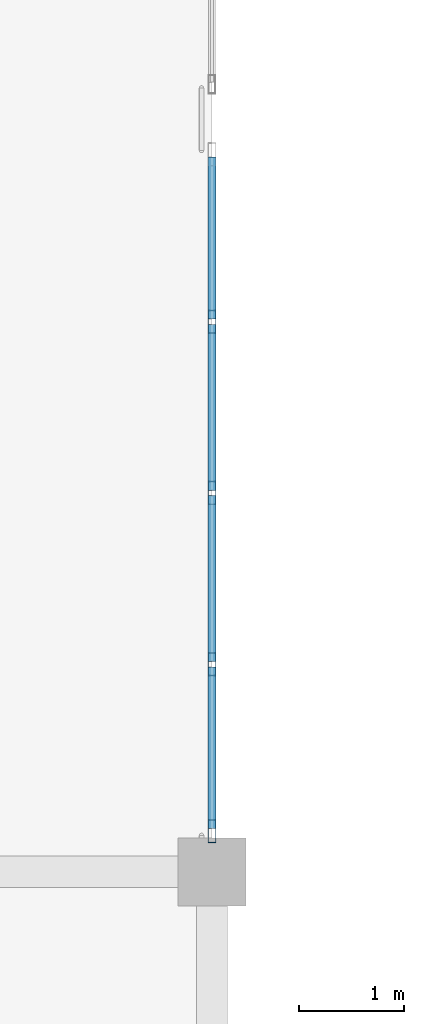
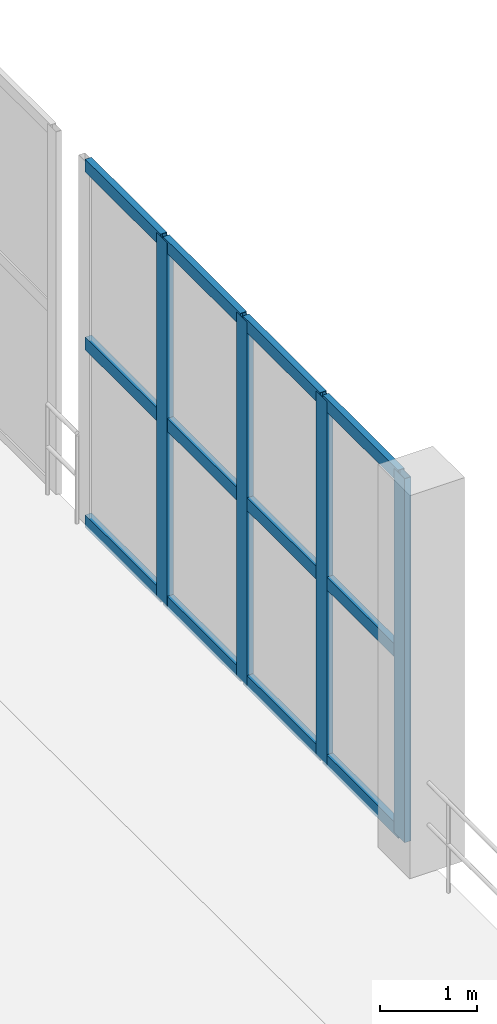
# One storey, part 34 of 105: 16 members, 1 element without a shape of its own.
"""IFC4 building model written with IfcOpenShell, lengths in metres."""

from ifc_helpers import new_model, si_unit, direction, frame, origin, origin_2d, place, context, subcontext, project, spatial, hollow_rectangle, extrude, material, material_profile, profile_set, type_object, element, aggregate, save


model = new_model("IFC4")

# Units and contexts
model_context = context("Model", 3, precision=1e-05, world=origin(), true_north=direction((0.0, 1.0)))
body_context = subcontext(model_context, "Body", "Model", "MODEL_VIEW")
ifc_project = project(units=[si_unit("LENGTHUNIT", "METRE"), si_unit("AREAUNIT", "SQUARE_METRE"), si_unit("VOLUMEUNIT", "CUBIC_METRE"), si_unit("PLANEANGLEUNIT", "RADIAN"), si_unit("MASSUNIT", "GRAM", prefix="KILO")], contexts=[model_context])

# Site, building, storey
site_placement = place(None, origin())
site = spatial("IfcSite", under=ifc_project, at=site_placement, CompositionType="ELEMENT")
building_placement = place(site_placement, origin())
building = spatial("IfcBuilding", under=site, at=building_placement, Name="Qandorah Velis Arena", CompositionType="ELEMENT")
storey_placement = place(building_placement, frame((0.0, 0.0, 13.800048828125)))
storey = spatial("IfcBuildingStorey", under=building, at=storey_placement, Name="L03", CompositionType="ELEMENT", Elevation=13.800048828125)

# Curtain wall, members
ifc_material_1 = material(Name="Solar-control low-E double glazing", Category="glass")
curtain_wall_type = type_object("IfcCurtainWallType", Name="ARC-CW-SYS17", PredefinedType="USERDEFINED", material=ifc_material_1)
curtain_wall_placement = place(storey_placement, origin())
curtain_wall = element("IfcCurtainWall", 1, at=curtain_wall_placement, inside=storey, type_object=curtain_wall_type, Name="Unitised curtain wall L03-113", ObjectType="UNITISED CURTAIN WALL", PredefinedType="USERDEFINED")
ifc_material_2 = material(Name="Champagne-bronze anodized aluminium 6063-T6", Category="aluminium")
ifc_material_profile_1 = material_profile(ifc_material_2, hollow_rectangle(XDim=0.074951171875, YDim=0.219970703125, WallThickness=0.00390625, at=origin_2d()), Name="ALU MULLION 75x220")
ifc_profile_set_1 = profile_set([ifc_material_profile_1], Name="Champagne-bronze anodized aluminium 6063-T6")
member_type_1 = type_object("IfcMemberType", Name="ARC-CWM-220", PredefinedType="MULLION", material=ifc_profile_set_1)
member_1_placement = place(storey_placement, frame((122.39990234375, 57.987548828125, -0.01513671875), z_axis=(0.0, 0.0, 1.0), x_axis=(-1.0, 0.0, 0.0)))
member_1 = element("IfcMember", 2, at=member_1_placement, type_object=member_type_1, Name="CW17 mullion 1", PredefinedType="MULLION", context=body_context, shape_type="SweptSolid", body=[
    extrude(hollow_rectangle(XDim=0.074951171875, YDim=0.219970703125, WallThickness=0.00390625, at=origin_2d()), origin(), (0.0, 0.0, 1.0), 4.56005859375),
])
member_2_placement = place(storey_placement, frame((122.39990234375, 59.58740234375, -0.01513671875), z_axis=(0.0, 0.0, 1.0), x_axis=(-1.0, 0.0, 0.0)))
member_2 = element("IfcMember", 3, at=member_2_placement, type_object=member_type_1, Name="CW17 mullion 2", PredefinedType="MULLION", context=body_context, shape_type="SweptSolid", body=[
    extrude(hollow_rectangle(XDim=0.074951171875, YDim=0.219970703125, WallThickness=0.00390625, at=origin_2d()), origin(), (0.0, 0.0, 1.0), 4.56005859375),
])
member_3_placement = place(storey_placement, frame((122.39990234375, 61.22509765625, -0.01513671875), z_axis=(0.0, 0.0, 1.0), x_axis=(-1.0, 0.0, 0.0)))
member_3 = element("IfcMember", 4, at=member_3_placement, type_object=member_type_1, Name="CW17 mullion 3", PredefinedType="MULLION", context=body_context, shape_type="SweptSolid", body=[
    extrude(hollow_rectangle(XDim=0.074951171875, YDim=0.219970703125, WallThickness=0.00390625, at=origin_2d()), origin(), (0.0, 0.0, 1.0), 4.56005859375),
])
member_4_placement = place(storey_placement, frame((122.39990234375, 62.862548828125, -0.01513671875), z_axis=(0.0, 0.0, 1.0), x_axis=(-1.0, 0.0, 0.0)))
member_4 = element("IfcMember", 5, at=member_4_placement, type_object=member_type_1, Name="CW17 mullion 4", PredefinedType="MULLION", context=body_context, shape_type="SweptSolid", body=[
    extrude(hollow_rectangle(XDim=0.074951171875, YDim=0.219970703125, WallThickness=0.00390625, at=origin_2d()), origin(), (0.0, 0.0, 1.0), 4.56005859375),
])
ifc_material_profile_2 = material_profile(ifc_material_2, hollow_rectangle(XDim=0.074951171875, YDim=0.159912109375, WallThickness=0.00341796875, at=origin_2d()), Name="ALU TRANSOM 75x160")
ifc_profile_set_2 = profile_set([ifc_material_profile_2], Name="Champagne-bronze anodized aluminium 6063-T6")
member_type_2 = type_object("IfcMemberType", Name="ARC-CWT-160", PredefinedType="USERDEFINED", material=ifc_profile_set_2)
member_5_placement = place(storey_placement, frame((122.39990234375, 58.012939453125, 0.037353515625), z_axis=(0.0, 1.0, 0.0), x_axis=(-1.0, 0.0, 0.0)))
member_5 = element("IfcMember", 6, at=member_5_placement, type_object=member_type_2, Name="CW17 transom 1.1", ObjectType="TRANSOM", PredefinedType="USERDEFINED", context=body_context, shape_type="SweptSolid", body=[
    extrude(hollow_rectangle(XDim=0.074951171875, YDim=0.159912109375, WallThickness=0.00341796875, at=origin_2d()), origin(), (0.0, 0.0, 1.0), 1.549072265625),
])
member_6_placement = place(storey_placement, frame((122.39990234375, 58.012939453125, 2.264892578125), z_axis=(0.0, 1.0, 0.0), x_axis=(-1.0, 0.0, 0.0)))
member_6 = element("IfcMember", 7, at=member_6_placement, type_object=member_type_2, Name="CW17 transom 1.2", ObjectType="TRANSOM", PredefinedType="USERDEFINED", context=body_context, shape_type="SweptSolid", body=[
    extrude(hollow_rectangle(XDim=0.074951171875, YDim=0.159912109375, WallThickness=0.00341796875, at=origin_2d()), origin(), (0.0, 0.0, 1.0), 1.549072265625),
])
member_7_placement = place(storey_placement, frame((122.39990234375, 58.012939453125, 4.492431640625), z_axis=(0.0, 1.0, 0.0), x_axis=(-1.0, 0.0, 0.0)))
member_7 = element("IfcMember", 8, at=member_7_placement, type_object=member_type_2, Name="CW17 transom 1.3", ObjectType="TRANSOM", PredefinedType="USERDEFINED", context=body_context, shape_type="SweptSolid", body=[
    extrude(hollow_rectangle(XDim=0.074951171875, YDim=0.159912109375, WallThickness=0.00341796875, at=origin_2d()), origin(), (0.0, 0.0, 1.0), 1.549072265625),
])
member_8_placement = place(storey_placement, frame((122.39990234375, 59.613037109375, 0.037353515625), z_axis=(0.0, 1.0, 0.0), x_axis=(-1.0, 0.0, 0.0)))
member_8 = element("IfcMember", 9, at=member_8_placement, type_object=member_type_2, Name="CW17 transom 2.1", ObjectType="TRANSOM", PredefinedType="USERDEFINED", context=body_context, shape_type="SweptSolid", body=[
    extrude(hollow_rectangle(XDim=0.074951171875, YDim=0.159912109375, WallThickness=0.00341796875, at=origin_2d()), origin(), (0.0, 0.0, 1.0), 1.58642578125),
])
member_9_placement = place(storey_placement, frame((122.39990234375, 59.613037109375, 2.264892578125), z_axis=(0.0, 1.0, 0.0), x_axis=(-1.0, 0.0, 0.0)))
member_9 = element("IfcMember", 10, at=member_9_placement, type_object=member_type_2, Name="CW17 transom 2.2", ObjectType="TRANSOM", PredefinedType="USERDEFINED", context=body_context, shape_type="SweptSolid", body=[
    extrude(hollow_rectangle(XDim=0.074951171875, YDim=0.159912109375, WallThickness=0.00341796875, at=origin_2d()), origin(), (0.0, 0.0, 1.0), 1.58642578125),
])
member_10_placement = place(storey_placement, frame((122.39990234375, 59.613037109375, 4.492431640625), z_axis=(0.0, 1.0, 0.0), x_axis=(-1.0, 0.0, 0.0)))
member_10 = element("IfcMember", 11, at=member_10_placement, type_object=member_type_2, Name="CW17 transom 2.3", ObjectType="TRANSOM", PredefinedType="USERDEFINED", context=body_context, shape_type="SweptSolid", body=[
    extrude(hollow_rectangle(XDim=0.074951171875, YDim=0.159912109375, WallThickness=0.00341796875, at=origin_2d()), origin(), (0.0, 0.0, 1.0), 1.58642578125),
])
member_11_placement = place(storey_placement, frame((122.39990234375, 61.25048828125, 0.037353515625), z_axis=(0.0, 1.0, 0.0), x_axis=(-1.0, 0.0, 0.0)))
member_11 = element("IfcMember", 12, at=member_11_placement, type_object=member_type_2, Name="CW17 transom 3.1", ObjectType="TRANSOM", PredefinedType="USERDEFINED", context=body_context, shape_type="SweptSolid", body=[
    extrude(hollow_rectangle(XDim=0.074951171875, YDim=0.159912109375, WallThickness=0.00341796875, at=origin_2d()), origin(), (0.0, 0.0, 1.0), 1.58642578125),
])
member_12_placement = place(storey_placement, frame((122.39990234375, 61.25048828125, 2.264892578125), z_axis=(0.0, 1.0, 0.0), x_axis=(-1.0, 0.0, 0.0)))
member_12 = element("IfcMember", 13, at=member_12_placement, type_object=member_type_2, Name="CW17 transom 3.2", ObjectType="TRANSOM", PredefinedType="USERDEFINED", context=body_context, shape_type="SweptSolid", body=[
    extrude(hollow_rectangle(XDim=0.074951171875, YDim=0.159912109375, WallThickness=0.00341796875, at=origin_2d()), origin(), (0.0, 0.0, 1.0), 1.58642578125),
])
member_13_placement = place(storey_placement, frame((122.39990234375, 61.25048828125, 4.492431640625), z_axis=(0.0, 1.0, 0.0), x_axis=(-1.0, 0.0, 0.0)))
member_13 = element("IfcMember", 14, at=member_13_placement, type_object=member_type_2, Name="CW17 transom 3.3", ObjectType="TRANSOM", PredefinedType="USERDEFINED", context=body_context, shape_type="SweptSolid", body=[
    extrude(hollow_rectangle(XDim=0.074951171875, YDim=0.159912109375, WallThickness=0.00341796875, at=origin_2d()), origin(), (0.0, 0.0, 1.0), 1.58642578125),
])
member_14_placement = place(storey_placement, frame((122.39990234375, 62.887939453125, 0.037353515625), z_axis=(0.0, 1.0, 0.0), x_axis=(-1.0, 0.0, 0.0)))
member_14 = element("IfcMember", 15, at=member_14_placement, type_object=member_type_2, Name="CW17 transom 4.1", ObjectType="TRANSOM", PredefinedType="USERDEFINED", context=body_context, shape_type="SweptSolid", body=[
    extrude(hollow_rectangle(XDim=0.074951171875, YDim=0.159912109375, WallThickness=0.00341796875, at=origin_2d()), origin(), (0.0, 0.0, 1.0), 1.549072265625),
])
member_15_placement = place(storey_placement, frame((122.39990234375, 62.887939453125, 2.264892578125), z_axis=(0.0, 1.0, 0.0), x_axis=(-1.0, 0.0, 0.0)))
member_15 = element("IfcMember", 16, at=member_15_placement, type_object=member_type_2, Name="CW17 transom 4.2", ObjectType="TRANSOM", PredefinedType="USERDEFINED", context=body_context, shape_type="SweptSolid", body=[
    extrude(hollow_rectangle(XDim=0.074951171875, YDim=0.159912109375, WallThickness=0.00341796875, at=origin_2d()), origin(), (0.0, 0.0, 1.0), 1.549072265625),
])
member_16_placement = place(storey_placement, frame((122.39990234375, 62.887939453125, 4.492431640625), z_axis=(0.0, 1.0, 0.0), x_axis=(-1.0, 0.0, 0.0)))
member_16 = element("IfcMember", 17, at=member_16_placement, type_object=member_type_2, Name="CW17 transom 4.3", ObjectType="TRANSOM", PredefinedType="USERDEFINED", context=body_context, shape_type="SweptSolid", body=[
    extrude(hollow_rectangle(XDim=0.074951171875, YDim=0.159912109375, WallThickness=0.00341796875, at=origin_2d()), origin(), (0.0, 0.0, 1.0), 1.549072265625),
])
aggregate(curtain_wall, [member_1, member_2, member_3, member_4, member_5, member_6, member_7, member_8, member_9, member_10, member_11, member_12, member_13, member_14, member_15, member_16])

save(model, "model.ifc")
